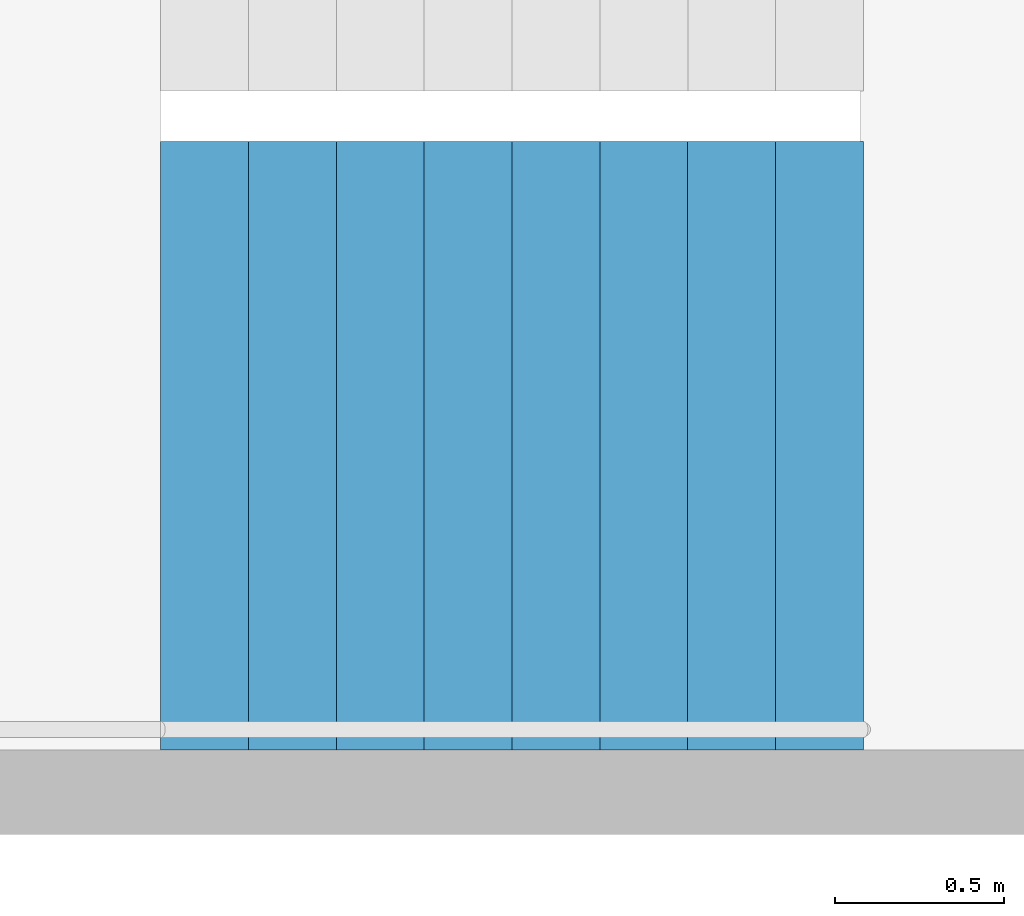
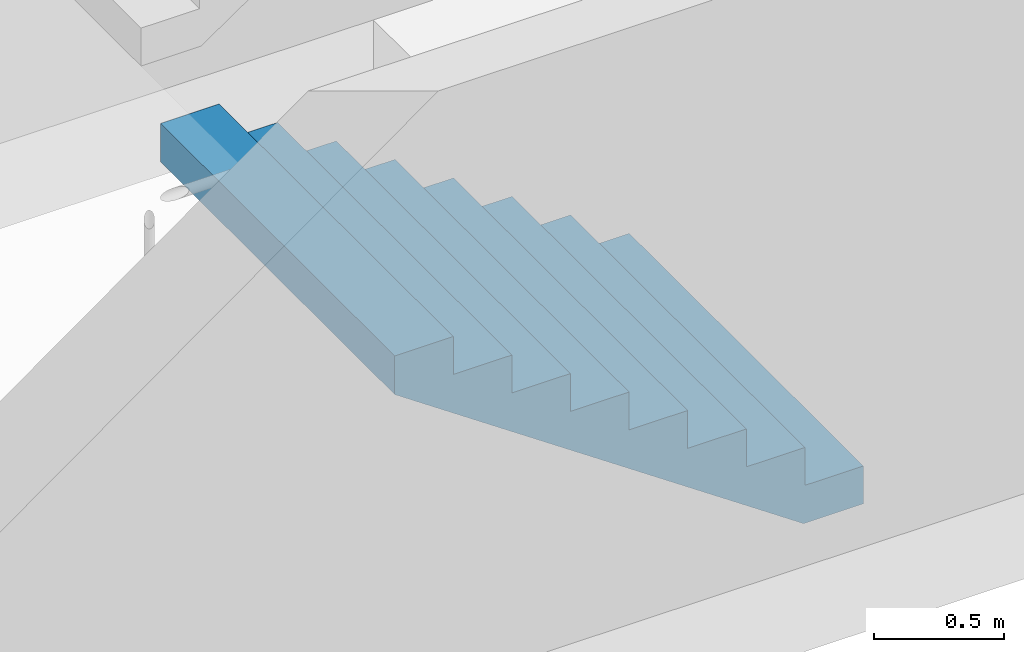
# One storey, part 27 of 29: 1 stair flight, 1 element without a shape of its own.
"""IFC4 building model written with IfcOpenShell, lengths in metres."""

from ifc_helpers import new_model, si_unit, direction, frame, origin, place, context, subcontext, project, spatial, triangles, material, type_object, element, aggregate, save


model = new_model("IFC4")

# Units and contexts
model_context = context("Model", 3, precision=1e-05, world=origin(), true_north=direction((0.0, 1.0)))
body_context = subcontext(model_context, "Body", "Model", "MODEL_VIEW")
ifc_project = project(units=[si_unit("LENGTHUNIT", "METRE"), si_unit("AREAUNIT", "SQUARE_METRE"), si_unit("VOLUMEUNIT", "CUBIC_METRE"), si_unit("PLANEANGLEUNIT", "RADIAN"), si_unit("MASSUNIT", "GRAM", prefix="KILO")], contexts=[model_context])

# Site, building, storey
site_placement = place(None, origin())
site = spatial("IfcSite", under=ifc_project, at=site_placement, CompositionType="ELEMENT")
building_placement = place(site_placement, origin())
building = spatial("IfcBuilding", under=site, at=building_placement, Name="Hakoniwa Tower and Hamabe Station Hall", CompositionType="ELEMENT")
storey_placement = place(building_placement, frame((0.0, 0.0, 113.800048828125)))
storey = spatial("IfcBuildingStorey", under=building, at=storey_placement, Name="L32", CompositionType="ELEMENT", Elevation=113.800048828125)

# Stair, stair flight
ifc_material_1 = material(Name="Concrete C40", Category="concrete")
stair_type = type_object("IfcStairType", Name="ESCAPE STAIR 1800", PredefinedType="HALF_TURN_STAIR", material=ifc_material_1)
stair_placement = place(storey_placement, origin())
stair = element("IfcStair", 1, at=stair_placement, inside=storey, type_object=stair_type, Name="Escape stair ST-3 L32", PredefinedType="HALF_TURN_STAIR")
ifc_material_2 = material(Name="Concrete C40", Category="concrete")
stair_flight_type = type_object("IfcStairFlightType", Name="STAIR FLIGHT 1800", PredefinedType="STRAIGHT", material=ifc_material_2)
stair_flight_placement = place(storey_placement, frame((24.39990234375, 4.64990234375, 0.0), z_axis=(0.0, 0.0, 1.0), x_axis=(-1.0, 0.0, 0.0)))
stair_flight = element("IfcStairFlight", 2, at=stair_flight_placement, type_object=stair_flight_type, Name="ST-3 flight 1", NumberOfRisers=9, NumberOfTreads=8, PredefinedType="STRAIGHT", RiserHeight=0.177777778, TreadLength=0.26, context=body_context, shape_type="Tessellation", body=[
    triangles([(0.0, 0.89990234375, 0.0), (0.260009765625, 0.89990234375, 0.0), (0.265625, 0.89990234375, 0.0), (0.52001953125, 0.89990234375, 0.174072265625), (0.780029296875, 0.89990234375, 0.351806640625), (1.0400390625, 0.89990234375, 0.529541015625), (1.300048828125, 0.89990234375, 0.707275390625), (1.56005859375, 0.89990234375, 0.885009765625), (1.820068359375, 0.89990234375, 1.062744140625), (2.080078125, 0.89990234375, 1.24072265625), (2.080078125, 0.89990234375, 1.422119140625), (1.820068359375, 0.89990234375, 1.422119140625), (1.820068359375, 0.89990234375, 1.244384765625), (1.56005859375, 0.89990234375, 1.244384765625), (1.56005859375, 0.89990234375, 1.066650390625), (1.300048828125, 0.89990234375, 1.066650390625), (1.300048828125, 0.89990234375, 0.888916015625), (1.0400390625, 0.89990234375, 0.888916015625), (1.0400390625, 0.89990234375, 0.711181640625), (0.780029296875, 0.89990234375, 0.711181640625), (0.780029296875, 0.89990234375, 0.533447265625), (0.52001953125, 0.89990234375, 0.533447265625), (0.52001953125, 0.89990234375, 0.35546875), (0.265625, 0.89990234375, 0.35546875), (0.260009765625, 0.89990234375, 0.35546875), (0.260009765625, 0.89990234375, 0.177734375), (0.0, 0.89990234375, 0.177734375), (0.0, 0.06005859375, 0.0), (0.260009765625, 0.06005859375, 0.0), (0.265625, 0.06005859375, 0.0), (0.52001953125, 0.06005859375, 0.174072265625), (0.780029296875, 0.06005859375, 0.351806640625), (1.0400390625, 0.06005859375, 0.529541015625), (1.300048828125, 0.06005859375, 0.707275390625), (1.56005859375, 0.06005859375, 0.885009765625), (1.820068359375, 0.06005859375, 1.062744140625), (2.080078125, 0.06005859375, 1.24072265625), (2.080078125, 0.06005859375, 1.422119140625), (1.820068359375, 0.06005859375, 1.422119140625), (1.820068359375, 0.06005859375, 1.244384765625), (1.56005859375, 0.06005859375, 1.244384765625), (1.56005859375, 0.06005859375, 1.066650390625), (1.300048828125, 0.06005859375, 1.066650390625), (1.300048828125, 0.06005859375, 0.888916015625), (1.0400390625, 0.06005859375, 0.888916015625), (1.0400390625, 0.06005859375, 0.711181640625), (0.780029296875, 0.06005859375, 0.711181640625), (0.780029296875, 0.06005859375, 0.533447265625), (0.52001953125, 0.06005859375, 0.533447265625), (0.52001953125, 0.06005859375, 0.35546875), (0.265625, 0.06005859375, 0.35546875), (0.260009765625, 0.06005859375, 0.35546875), (0.260009765625, 0.06005859375, 0.177734375), (0.0, 0.06005859375, 0.177734375), (0.0, 0.04296875, 0.0), (0.260009765625, 0.04296875, 0.0), (0.265625, 0.04296875, 0.0), (0.52001953125, 0.04296875, 0.174072265625), (0.780029296875, 0.04296875, 0.351806640625), (1.0400390625, 0.04296875, 0.529541015625), (1.300048828125, 0.04296875, 0.707275390625), (1.56005859375, 0.04296875, 0.885009765625), (1.820068359375, 0.04296875, 1.062744140625), (2.080078125, 0.04296875, 1.24072265625), (2.080078125, 0.04296875, 1.422119140625), (1.820068359375, 0.04296875, 1.422119140625), (1.820068359375, 0.04296875, 1.244384765625), (1.56005859375, 0.04296875, 1.244384765625), (1.56005859375, 0.04296875, 1.066650390625), (1.300048828125, 0.04296875, 1.066650390625), (1.300048828125, 0.04296875, 0.888916015625), (1.0400390625, 0.04296875, 0.888916015625), (1.0400390625, 0.04296875, 0.711181640625), (0.780029296875, 0.04296875, 0.711181640625), (0.780029296875, 0.04296875, 0.533447265625), (0.52001953125, 0.04296875, 0.533447265625), (0.52001953125, 0.04296875, 0.35546875), (0.265625, 0.04296875, 0.35546875), (0.260009765625, 0.04296875, 0.35546875), (0.260009765625, 0.04296875, 0.177734375), (0.0, 0.04296875, 0.177734375), (0.0, 0.025634765625, 0.0), (0.260009765625, 0.025634765625, 0.0), (0.265625, 0.025634765625, 0.0), (0.52001953125, 0.025634765625, 0.174072265625), (0.780029296875, 0.025634765625, 0.351806640625), (1.0400390625, 0.025634765625, 0.529541015625), (1.300048828125, 0.025634765625, 0.707275390625), (1.56005859375, 0.025634765625, 0.885009765625), (1.820068359375, 0.025634765625, 1.062744140625), (2.080078125, 0.025634765625, 1.24072265625), (2.080078125, 0.025634765625, 1.422119140625), (1.820068359375, 0.025634765625, 1.422119140625), (1.820068359375, 0.025634765625, 1.244384765625), (1.56005859375, 0.025634765625, 1.244384765625), (1.56005859375, 0.025634765625, 1.066650390625), (1.300048828125, 0.025634765625, 1.066650390625), (1.300048828125, 0.025634765625, 0.888916015625), (1.0400390625, 0.025634765625, 0.888916015625), (1.0400390625, 0.025634765625, 0.711181640625), (0.780029296875, 0.025634765625, 0.711181640625), (0.780029296875, 0.025634765625, 0.533447265625), (0.52001953125, 0.025634765625, 0.533447265625), (0.52001953125, 0.025634765625, 0.35546875), (0.265625, 0.025634765625, 0.35546875), (0.260009765625, 0.025634765625, 0.35546875), (0.260009765625, 0.025634765625, 0.177734375), (0.0, 0.025634765625, 0.177734375), (0.0, 0.008544921875, 0.0), (0.260009765625, 0.008544921875, 0.0), (0.265625, 0.008544921875, 0.0), (0.52001953125, 0.008544921875, 0.174072265625), (0.780029296875, 0.008544921875, 0.351806640625), (1.0400390625, 0.008544921875, 0.529541015625), (1.300048828125, 0.008544921875, 0.707275390625), (1.56005859375, 0.008544921875, 0.885009765625), (1.820068359375, 0.008544921875, 1.062744140625), (2.080078125, 0.008544921875, 1.24072265625), (2.080078125, 0.008544921875, 1.422119140625), (1.820068359375, 0.008544921875, 1.422119140625), (1.820068359375, 0.008544921875, 1.244384765625), (1.56005859375, 0.008544921875, 1.244384765625), (1.56005859375, 0.008544921875, 1.066650390625), (1.300048828125, 0.008544921875, 1.066650390625), (1.300048828125, 0.008544921875, 0.888916015625), (1.0400390625, 0.008544921875, 0.888916015625), (1.0400390625, 0.008544921875, 0.711181640625), (0.780029296875, 0.008544921875, 0.711181640625), (0.780029296875, 0.008544921875, 0.533447265625), (0.52001953125, 0.008544921875, 0.533447265625), (0.52001953125, 0.008544921875, 0.35546875), (0.265625, 0.008544921875, 0.35546875), (0.260009765625, 0.008544921875, 0.35546875), (0.260009765625, 0.008544921875, 0.177734375), (0.0, 0.008544921875, 0.177734375), (0.0, -0.008544921875, 0.0), (0.260009765625, -0.008544921875, 0.0), (0.265625, -0.008544921875, 0.0), (0.52001953125, -0.008544921875, 0.174072265625), (0.780029296875, -0.008544921875, 0.351806640625), (1.0400390625, -0.008544921875, 0.529541015625), (1.300048828125, -0.008544921875, 0.707275390625), (1.56005859375, -0.008544921875, 0.885009765625), (1.820068359375, -0.008544921875, 1.062744140625), (2.080078125, -0.008544921875, 1.24072265625), (2.080078125, -0.008544921875, 1.422119140625), (1.820068359375, -0.008544921875, 1.422119140625), (1.820068359375, -0.008544921875, 1.244384765625), (1.56005859375, -0.008544921875, 1.244384765625), (1.56005859375, -0.008544921875, 1.066650390625), (1.300048828125, -0.008544921875, 1.066650390625), (1.300048828125, -0.008544921875, 0.888916015625), (1.0400390625, -0.008544921875, 0.888916015625), (1.0400390625, -0.008544921875, 0.711181640625), (0.780029296875, -0.008544921875, 0.711181640625), (0.780029296875, -0.008544921875, 0.533447265625), (0.52001953125, -0.008544921875, 0.533447265625), (0.52001953125, -0.008544921875, 0.35546875), (0.265625, -0.008544921875, 0.35546875), (0.260009765625, -0.008544921875, 0.35546875), (0.260009765625, -0.008544921875, 0.177734375), (0.0, -0.008544921875, 0.177734375), (0.0, -0.025634765625, 0.0), (0.260009765625, -0.025634765625, 0.0), (0.265625, -0.025634765625, 0.0), (0.52001953125, -0.025634765625, 0.174072265625), (0.780029296875, -0.025634765625, 0.351806640625), (1.0400390625, -0.025634765625, 0.529541015625), (1.300048828125, -0.025634765625, 0.707275390625), (1.56005859375, -0.025634765625, 0.885009765625), (1.820068359375, -0.025634765625, 1.062744140625), (2.080078125, -0.025634765625, 1.24072265625), (2.080078125, -0.025634765625, 1.422119140625), (1.820068359375, -0.025634765625, 1.422119140625), (1.820068359375, -0.025634765625, 1.244384765625), (1.56005859375, -0.025634765625, 1.244384765625), (1.56005859375, -0.025634765625, 1.066650390625), (1.300048828125, -0.025634765625, 1.066650390625), (1.300048828125, -0.025634765625, 0.888916015625), (1.0400390625, -0.025634765625, 0.888916015625), (1.0400390625, -0.025634765625, 0.711181640625), (0.780029296875, -0.025634765625, 0.711181640625), (0.780029296875, -0.025634765625, 0.533447265625), (0.52001953125, -0.025634765625, 0.533447265625), (0.52001953125, -0.025634765625, 0.35546875), (0.265625, -0.025634765625, 0.35546875), (0.260009765625, -0.025634765625, 0.35546875), (0.260009765625, -0.025634765625, 0.177734375), (0.0, -0.025634765625, 0.177734375), (0.0, -0.04296875, 0.0), (0.260009765625, -0.04296875, 0.0), (0.265625, -0.04296875, 0.0), (0.52001953125, -0.04296875, 0.174072265625), (0.780029296875, -0.04296875, 0.351806640625), (1.0400390625, -0.04296875, 0.529541015625), (1.300048828125, -0.04296875, 0.707275390625), (1.56005859375, -0.04296875, 0.885009765625), (1.820068359375, -0.04296875, 1.062744140625), (2.080078125, -0.04296875, 1.24072265625), (2.080078125, -0.04296875, 1.422119140625), (1.820068359375, -0.04296875, 1.422119140625), (1.820068359375, -0.04296875, 1.244384765625), (1.56005859375, -0.04296875, 1.244384765625), (1.56005859375, -0.04296875, 1.066650390625), (1.300048828125, -0.04296875, 1.066650390625), (1.300048828125, -0.04296875, 0.888916015625), (1.0400390625, -0.04296875, 0.888916015625), (1.0400390625, -0.04296875, 0.711181640625), (0.780029296875, -0.04296875, 0.711181640625), (0.780029296875, -0.04296875, 0.533447265625), (0.52001953125, -0.04296875, 0.533447265625), (0.52001953125, -0.04296875, 0.35546875), (0.265625, -0.04296875, 0.35546875), (0.260009765625, -0.04296875, 0.35546875), (0.260009765625, -0.04296875, 0.177734375), (0.0, -0.04296875, 0.177734375), (0.0, -0.06005859375, 0.0), (0.260009765625, -0.06005859375, 0.0), (0.265625, -0.06005859375, 0.0), (0.52001953125, -0.06005859375, 0.174072265625), (0.780029296875, -0.06005859375, 0.351806640625), (1.0400390625, -0.06005859375, 0.529541015625), (1.300048828125, -0.06005859375, 0.707275390625), (1.56005859375, -0.06005859375, 0.885009765625), (1.820068359375, -0.06005859375, 1.062744140625), (2.080078125, -0.06005859375, 1.24072265625), (2.080078125, -0.06005859375, 1.422119140625), (1.820068359375, -0.06005859375, 1.422119140625), (1.820068359375, -0.06005859375, 1.244384765625), (1.56005859375, -0.06005859375, 1.244384765625), (1.56005859375, -0.06005859375, 1.066650390625), (1.300048828125, -0.06005859375, 1.066650390625), (1.300048828125, -0.06005859375, 0.888916015625), (1.0400390625, -0.06005859375, 0.888916015625), (1.0400390625, -0.06005859375, 0.711181640625), (0.780029296875, -0.06005859375, 0.711181640625), (0.780029296875, -0.06005859375, 0.533447265625), (0.52001953125, -0.06005859375, 0.533447265625), (0.52001953125, -0.06005859375, 0.35546875), (0.265625, -0.06005859375, 0.35546875), (0.260009765625, -0.06005859375, 0.35546875), (0.260009765625, -0.06005859375, 0.177734375), (0.0, -0.06005859375, 0.177734375), (0.0, -0.89990234375, 0.0), (0.260009765625, -0.89990234375, 0.0), (0.265625, -0.89990234375, 0.0), (0.52001953125, -0.89990234375, 0.174072265625), (0.780029296875, -0.89990234375, 0.351806640625), (1.0400390625, -0.89990234375, 0.529541015625), (1.300048828125, -0.89990234375, 0.707275390625), (1.56005859375, -0.89990234375, 0.885009765625), (1.820068359375, -0.89990234375, 1.062744140625), (2.080078125, -0.89990234375, 1.24072265625), (2.080078125, -0.89990234375, 1.422119140625), (1.820068359375, -0.89990234375, 1.422119140625), (1.820068359375, -0.89990234375, 1.244384765625), (1.56005859375, -0.89990234375, 1.244384765625), (1.56005859375, -0.89990234375, 1.066650390625), (1.300048828125, -0.89990234375, 1.066650390625), (1.300048828125, -0.89990234375, 0.888916015625), (1.0400390625, -0.89990234375, 0.888916015625), (1.0400390625, -0.89990234375, 0.711181640625), (0.780029296875, -0.89990234375, 0.711181640625), (0.780029296875, -0.89990234375, 0.533447265625), (0.52001953125, -0.89990234375, 0.533447265625), (0.52001953125, -0.89990234375, 0.35546875), (0.265625, -0.89990234375, 0.35546875), (0.260009765625, -0.89990234375, 0.35546875), (0.260009765625, -0.89990234375, 0.177734375), (0.0, -0.89990234375, 0.177734375)], [[2, 27, 26], [245, 269, 270], [2, 1, 27], [245, 270, 244], [3, 25, 24], [246, 267, 268], [3, 26, 25], [246, 268, 269], [3, 2, 26], [246, 269, 245], [4, 24, 23], [247, 266, 267], [4, 3, 24], [247, 267, 246], [5, 22, 21], [248, 264, 265], [5, 23, 22], [248, 265, 266], [5, 4, 23], [248, 266, 247], [6, 20, 19], [249, 262, 263], [6, 21, 20], [249, 263, 264], [6, 5, 21], [249, 264, 248], [7, 18, 17], [250, 260, 261], [7, 19, 18], [250, 261, 262], [7, 6, 19], [250, 262, 249], [8, 16, 15], [251, 258, 259], [8, 17, 16], [251, 259, 260], [8, 7, 17], [251, 260, 250], [9, 14, 13], [252, 256, 257], [9, 15, 14], [252, 257, 258], [9, 8, 15], [252, 258, 251], [10, 12, 11], [253, 254, 255], [10, 13, 12], [253, 255, 256], [10, 9, 13], [253, 256, 252], [1, 2, 29], [1, 29, 28], [28, 29, 56], [28, 56, 55], [55, 56, 83], [55, 83, 82], [82, 83, 110], [82, 110, 109], [109, 110, 137], [109, 137, 136], [136, 137, 164], [136, 164, 163], [163, 164, 191], [163, 191, 190], [190, 191, 218], [190, 218, 217], [217, 218, 245], [217, 245, 244], [2, 3, 30], [2, 30, 29], [29, 30, 57], [29, 57, 56], [56, 57, 84], [56, 84, 83], [83, 84, 111], [83, 111, 110], [110, 111, 138], [110, 138, 137], [137, 138, 165], [137, 165, 164], [164, 165, 192], [164, 192, 191], [191, 192, 219], [191, 219, 218], [218, 219, 246], [218, 246, 245], [3, 4, 31], [3, 31, 30], [30, 31, 58], [30, 58, 57], [57, 58, 85], [57, 85, 84], [84, 85, 112], [84, 112, 111], [111, 112, 139], [111, 139, 138], [138, 139, 166], [138, 166, 165], [165, 166, 193], [165, 193, 192], [192, 193, 220], [192, 220, 219], [219, 220, 247], [219, 247, 246], [4, 5, 32], [4, 32, 31], [31, 32, 59], [31, 59, 58], [58, 59, 86], [58, 86, 85], [85, 86, 113], [85, 113, 112], [112, 113, 140], [112, 140, 139], [139, 140, 167], [139, 167, 166], [166, 167, 194], [166, 194, 193], [193, 194, 221], [193, 221, 220], [220, 221, 248], [220, 248, 247], [5, 6, 33], [5, 33, 32], [32, 33, 60], [32, 60, 59], [59, 60, 87], [59, 87, 86], [86, 87, 114], [86, 114, 113], [113, 114, 141], [113, 141, 140], [140, 141, 168], [140, 168, 167], [167, 168, 195], [167, 195, 194], [194, 195, 222], [194, 222, 221], [221, 222, 249], [221, 249, 248], [6, 7, 34], [6, 34, 33], [33, 34, 61], [33, 61, 60], [60, 61, 88], [60, 88, 87], [87, 88, 115], [87, 115, 114], [114, 115, 142], [114, 142, 141], [141, 142, 169], [141, 169, 168], [168, 169, 196], [168, 196, 195], [195, 196, 223], [195, 223, 222], [222, 223, 250], [222, 250, 249], [7, 8, 35], [7, 35, 34], [34, 35, 62], [34, 62, 61], [61, 62, 89], [61, 89, 88], [88, 89, 116], [88, 116, 115], [115, 116, 143], [115, 143, 142], [142, 143, 170], [142, 170, 169], [169, 170, 197], [169, 197, 196], [196, 197, 224], [196, 224, 223], [223, 224, 251], [223, 251, 250], [8, 9, 36], [8, 36, 35], [35, 36, 63], [35, 63, 62], [62, 63, 90], [62, 90, 89], [89, 90, 117], [89, 117, 116], [116, 117, 144], [116, 144, 143], [143, 144, 171], [143, 171, 170], [170, 171, 198], [170, 198, 197], [197, 198, 225], [197, 225, 224], [224, 225, 252], [224, 252, 251], [9, 10, 37], [9, 37, 36], [36, 37, 64], [36, 64, 63], [63, 64, 91], [63, 91, 90], [90, 91, 118], [90, 118, 117], [117, 118, 145], [117, 145, 144], [144, 145, 172], [144, 172, 171], [171, 172, 199], [171, 199, 198], [198, 199, 226], [198, 226, 225], [225, 226, 253], [225, 253, 252], [10, 11, 38], [10, 38, 37], [37, 38, 65], [37, 65, 64], [64, 65, 92], [64, 92, 91], [91, 92, 119], [91, 119, 118], [118, 119, 146], [118, 146, 145], [145, 146, 173], [145, 173, 172], [172, 173, 200], [172, 200, 199], [199, 200, 227], [199, 227, 226], [226, 227, 254], [226, 254, 253], [11, 12, 39], [11, 39, 38], [38, 39, 66], [38, 66, 65], [65, 66, 93], [65, 93, 92], [92, 93, 120], [92, 120, 119], [119, 120, 147], [119, 147, 146], [146, 147, 174], [146, 174, 173], [173, 174, 201], [173, 201, 200], [200, 201, 228], [200, 228, 227], [227, 228, 255], [227, 255, 254], [12, 13, 40], [12, 40, 39], [39, 40, 67], [39, 67, 66], [66, 67, 94], [66, 94, 93], [93, 94, 121], [93, 121, 120], [120, 121, 148], [120, 148, 147], [147, 148, 175], [147, 175, 174], [174, 175, 202], [174, 202, 201], [201, 202, 229], [201, 229, 228], [228, 229, 256], [228, 256, 255], [13, 14, 41], [13, 41, 40], [40, 41, 68], [40, 68, 67], [67, 68, 95], [67, 95, 94], [94, 95, 122], [94, 122, 121], [121, 122, 149], [121, 149, 148], [148, 149, 176], [148, 176, 175], [175, 176, 203], [175, 203, 202], [202, 203, 230], [202, 230, 229], [229, 230, 257], [229, 257, 256], [14, 15, 42], [14, 42, 41], [41, 42, 69], [41, 69, 68], [68, 69, 96], [68, 96, 95], [95, 96, 123], [95, 123, 122], [122, 123, 150], [122, 150, 149], [149, 150, 177], [149, 177, 176], [176, 177, 204], [176, 204, 203], [203, 204, 231], [203, 231, 230], [230, 231, 258], [230, 258, 257], [15, 16, 43], [15, 43, 42], [42, 43, 70], [42, 70, 69], [69, 70, 97], [69, 97, 96], [96, 97, 124], [96, 124, 123], [123, 124, 151], [123, 151, 150], [150, 151, 178], [150, 178, 177], [177, 178, 205], [177, 205, 204], [204, 205, 232], [204, 232, 231], [231, 232, 259], [231, 259, 258], [16, 17, 44], [16, 44, 43], [43, 44, 71], [43, 71, 70], [70, 71, 98], [70, 98, 97], [97, 98, 125], [97, 125, 124], [124, 125, 152], [124, 152, 151], [151, 152, 179], [151, 179, 178], [178, 179, 206], [178, 206, 205], [205, 206, 233], [205, 233, 232], [232, 233, 260], [232, 260, 259], [17, 18, 45], [17, 45, 44], [44, 45, 72], [44, 72, 71], [71, 72, 99], [71, 99, 98], [98, 99, 126], [98, 126, 125], [125, 126, 153], [125, 153, 152], [152, 153, 180], [152, 180, 179], [179, 180, 207], [179, 207, 206], [206, 207, 234], [206, 234, 233], [233, 234, 261], [233, 261, 260], [18, 19, 46], [18, 46, 45], [45, 46, 73], [45, 73, 72], [72, 73, 100], [72, 100, 99], [99, 100, 127], [99, 127, 126], [126, 127, 154], [126, 154, 153], [153, 154, 181], [153, 181, 180], [180, 181, 208], [180, 208, 207], [207, 208, 235], [207, 235, 234], [234, 235, 262], [234, 262, 261], [19, 20, 47], [19, 47, 46], [46, 47, 74], [46, 74, 73], [73, 74, 101], [73, 101, 100], [100, 101, 128], [100, 128, 127], [127, 128, 155], [127, 155, 154], [154, 155, 182], [154, 182, 181], [181, 182, 209], [181, 209, 208], [208, 209, 236], [208, 236, 235], [235, 236, 263], [235, 263, 262], [20, 21, 48], [20, 48, 47], [47, 48, 75], [47, 75, 74], [74, 75, 102], [74, 102, 101], [101, 102, 129], [101, 129, 128], [128, 129, 156], [128, 156, 155], [155, 156, 183], [155, 183, 182], [182, 183, 210], [182, 210, 209], [209, 210, 237], [209, 237, 236], [236, 237, 264], [236, 264, 263], [21, 22, 49], [21, 49, 48], [48, 49, 76], [48, 76, 75], [75, 76, 103], [75, 103, 102], [102, 103, 130], [102, 130, 129], [129, 130, 157], [129, 157, 156], [156, 157, 184], [156, 184, 183], [183, 184, 211], [183, 211, 210], [210, 211, 238], [210, 238, 237], [237, 238, 265], [237, 265, 264], [22, 23, 50], [22, 50, 49], [49, 50, 77], [49, 77, 76], [76, 77, 104], [76, 104, 103], [103, 104, 131], [103, 131, 130], [130, 131, 158], [130, 158, 157], [157, 158, 185], [157, 185, 184], [184, 185, 212], [184, 212, 211], [211, 212, 239], [211, 239, 238], [238, 239, 266], [238, 266, 265], [23, 24, 51], [23, 51, 50], [50, 51, 78], [50, 78, 77], [77, 78, 105], [77, 105, 104], [104, 105, 132], [104, 132, 131], [131, 132, 159], [131, 159, 158], [158, 159, 186], [158, 186, 185], [185, 186, 213], [185, 213, 212], [212, 213, 240], [212, 240, 239], [239, 240, 267], [239, 267, 266], [24, 25, 52], [24, 52, 51], [51, 52, 79], [51, 79, 78], [78, 79, 106], [78, 106, 105], [105, 106, 133], [105, 133, 132], [132, 133, 160], [132, 160, 159], [159, 160, 187], [159, 187, 186], [186, 187, 214], [186, 214, 213], [213, 214, 241], [213, 241, 240], [240, 241, 268], [240, 268, 267], [25, 26, 53], [25, 53, 52], [52, 53, 80], [52, 80, 79], [79, 80, 107], [79, 107, 106], [106, 107, 134], [106, 134, 133], [133, 134, 161], [133, 161, 160], [160, 161, 188], [160, 188, 187], [187, 188, 215], [187, 215, 214], [214, 215, 242], [214, 242, 241], [241, 242, 269], [241, 269, 268], [26, 27, 54], [26, 54, 53], [53, 54, 81], [53, 81, 80], [80, 81, 108], [80, 108, 107], [107, 108, 135], [107, 135, 134], [134, 135, 162], [134, 162, 161], [161, 162, 189], [161, 189, 188], [188, 189, 216], [188, 216, 215], [215, 216, 243], [215, 243, 242], [242, 243, 270], [242, 270, 269], [27, 1, 28], [27, 28, 54], [54, 28, 55], [54, 55, 81], [81, 55, 82], [81, 82, 108], [108, 82, 109], [108, 109, 135], [135, 109, 136], [135, 136, 162], [162, 136, 163], [162, 163, 189], [189, 163, 190], [189, 190, 216], [216, 190, 217], [216, 217, 243], [243, 217, 244], [243, 244, 270]], closed=True),
])
aggregate(stair, [stair_flight])

save(model, "model.ifc")
